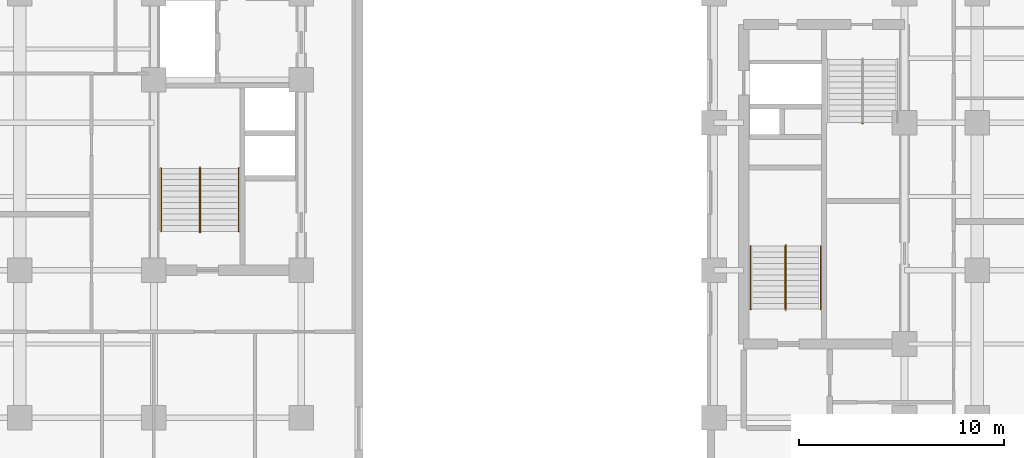
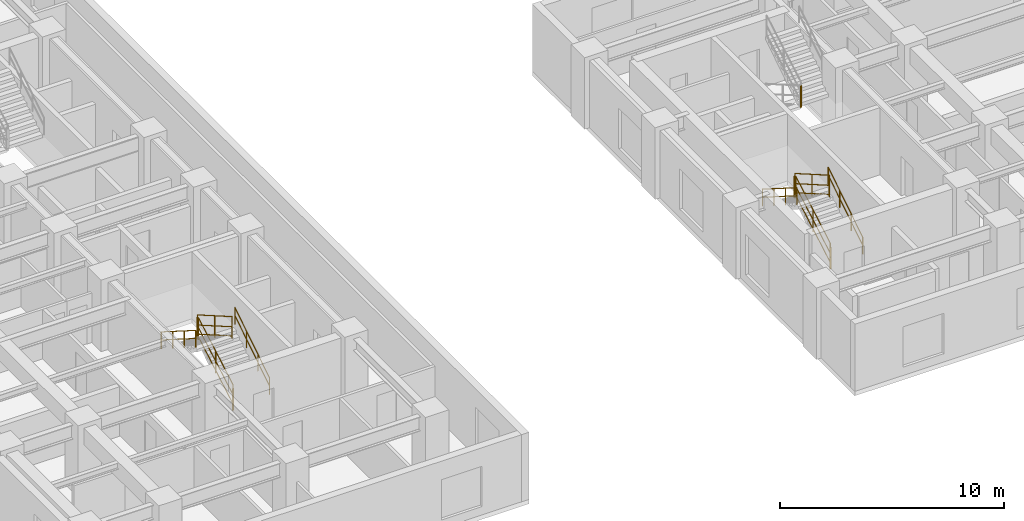
# One storey, part 6 of 8: 13 railings.
"""IFC4 building model written with IfcOpenShell, lengths in metres."""

from ifc_helpers import new_model, entity, si_unit, converted_unit, direction, frame, origin_with_axes, origin_2d_with_axis, place, context, subcontext, project, spatial, rectangle, circle, extrude, material, type_object, element, save


model = new_model("IFC4")

# Units and contexts
model_context = context("Model", 3, precision=1e-05, world=origin_with_axes(), true_north=direction((0.0, 1.0)))
body_context = subcontext(model_context, "Body", "Model", "MODEL_VIEW")
ifc_project = project(units=[si_unit("LENGTHUNIT", "METRE"), si_unit("AREAUNIT", "SQUARE_METRE"), si_unit("VOLUMEUNIT", "CUBIC_METRE"), converted_unit("PLANEANGLEUNIT", "DEGREE", entity("IfcPlaneAngleMeasure", 0.017453292519943295), si_unit("PLANEANGLEUNIT", "RADIAN"), dimensions=[0, 0, 0, 0, 0, 0, 0]), si_unit("MASSUNIT", "GRAM", prefix="KILO"), si_unit("THERMODYNAMICTEMPERATUREUNIT", "KELVIN")], contexts=[model_context])

# Site, building, storey
site_placement = place(None, origin_with_axes())
site = spatial("IfcSite", under=ifc_project, at=site_placement, CompositionType="ELEMENT")
building_placement = place(site_placement, origin_with_axes())
building = spatial("IfcBuilding", under=site, at=building_placement, Name="Varnlund Millrace Tower", CompositionType="ELEMENT")
storey_placement = place(building_placement, frame((0.0, 0.0, 116.4), z_axis=(0.0, 0.0, 1.0), x_axis=(1.0, 0.0, 0.0)))
storey = spatial("IfcBuildingStorey", under=building, at=storey_placement, Name="L28", CompositionType="ELEMENT", Elevation=116.4)

# Railings
ifc_material_1 = material(Name="Painted steel stair well balustrade guard", Category="steel")
railing_type_1 = type_object("IfcRailingType", Name="Type-StairGuard-1150", PredefinedType="GUARDRAIL", material=ifc_material_1)
railing_1_placement = place(storey_placement, frame((0.0, 0.0, -116.4), z_axis=(0.0, 0.0, 1.0), x_axis=(1.0, 0.0, 0.0)))
element("IfcRailing", 1, at=railing_1_placement, inside=storey, type_object=railing_type_1, Name="Type-StairGuard-1150", PredefinedType="GUARDRAIL", context=body_context, shape_type="SweptSolid", body=[
    extrude(circle(Radius=0.024, at=origin_2d_with_axis()), frame((13.675, 12.7, 117.727273), z_axis=(0.0, 0.866696, 0.498836), x_axis=(-1.0, 0.0, 0.0)), (0.0, 0.0, 1.0), 3.553725),
    extrude(circle(Radius=0.024, at=origin_2d_with_axis()), frame((13.675, 12.7, 116.677273), z_axis=(0.0, 0.866696, 0.498836), x_axis=(-1.0, 0.0, 0.0)), (0.0, 0.0, 1.0), 3.553725),
    extrude(circle(Radius=0.024, at=origin_2d_with_axis()), frame((13.675, 12.7, 117.175273), z_axis=(0.0, 0.866696, 0.498836), x_axis=(-1.0, 0.0, 0.0)), (0.0, 0.0, 1.0), 3.553725),
    extrude(rectangle(XDim=0.04, YDim=0.04, at=origin_2d_with_axis()), frame((13.675, 12.7, 116.537273), z_axis=(0.0, 0.0, 1.0), x_axis=(1.0, 0.0, 0.0)), (0.0, 0.0, 1.0), 1.19),
    extrude(rectangle(XDim=0.04, YDim=0.04, at=origin_2d_with_axis()), frame((13.675, 14.24, 117.423636), z_axis=(0.0, 0.0, 1.0), x_axis=(1.0, 0.0, 0.0)), (0.0, 0.0, 1.0), 1.19),
    extrude(rectangle(XDim=0.04, YDim=0.04, at=origin_2d_with_axis()), frame((13.675, 15.78, 118.31), z_axis=(0.0, 0.0, 1.0), x_axis=(1.0, 0.0, 0.0)), (0.0, 0.0, 1.0), 1.19),
])
railing_2_placement = place(storey_placement, frame((0.0, 0.0, -116.4), z_axis=(0.0, 0.0, 1.0), x_axis=(1.0, 0.0, 0.0)))
element("IfcRailing", 2, at=railing_2_placement, inside=storey, type_object=railing_type_1, Name="Type-StairGuard-1150", PredefinedType="GUARDRAIL", context=body_context, shape_type="SweptSolid", body=[
    extrude(circle(Radius=0.024, at=origin_2d_with_axis()), frame((13.625, 15.83, 119.5), z_axis=(1.0, 0.0, 0.0), x_axis=(0.0, 1.0, 0.0)), (0.0, 0.0, 1.0), 0.05),
    extrude(circle(Radius=0.024, at=origin_2d_with_axis()), frame((13.625, 15.83, 118.45), z_axis=(1.0, 0.0, 0.0), x_axis=(0.0, 1.0, 0.0)), (0.0, 0.0, 1.0), 0.05),
    extrude(circle(Radius=0.024, at=origin_2d_with_axis()), frame((13.625, 15.83, 118.948), z_axis=(1.0, 0.0, 0.0), x_axis=(0.0, 1.0, 0.0)), (0.0, 0.0, 1.0), 0.05),
    extrude(rectangle(XDim=0.04, YDim=0.04, at=origin_2d_with_axis()), frame((13.625, 15.83, 118.31), z_axis=(0.0, 0.0, 1.0), x_axis=(1.0, 0.0, 0.0)), (0.0, 0.0, 1.0), 1.19),
    extrude(rectangle(XDim=0.04, YDim=0.04, at=origin_2d_with_axis()), frame((13.675, 15.83, 118.31), z_axis=(0.0, 0.0, 1.0), x_axis=(1.0, 0.0, 0.0)), (0.0, 0.0, 1.0), 1.19),
])
railing_3_placement = place(storey_placement, frame((0.0, 0.0, -116.4), z_axis=(0.0, 0.0, 1.0), x_axis=(1.0, 0.0, 0.0)))
element("IfcRailing", 3, at=railing_3_placement, inside=storey, type_object=railing_type_1, Name="Type-StairGuard-1150", PredefinedType="GUARDRAIL", context=body_context, shape_type="SweptSolid", body=[
    extrude(circle(Radius=0.024, at=origin_2d_with_axis()), frame((13.625, 15.78, 119.677273), z_axis=(0.0, -0.866696, 0.498836), x_axis=(1.0, 0.0, 0.0)), (0.0, 0.0, 1.0), 3.553725),
    extrude(circle(Radius=0.024, at=origin_2d_with_axis()), frame((13.625, 15.78, 118.627273), z_axis=(0.0, -0.866696, 0.498836), x_axis=(1.0, 0.0, 0.0)), (0.0, 0.0, 1.0), 3.553725),
    extrude(circle(Radius=0.024, at=origin_2d_with_axis()), frame((13.625, 15.78, 119.125273), z_axis=(0.0, -0.866696, 0.498836), x_axis=(1.0, 0.0, 0.0)), (0.0, 0.0, 1.0), 3.553725),
    extrude(rectangle(XDim=0.04, YDim=0.04, at=origin_2d_with_axis()), frame((13.625, 15.78, 118.487273), z_axis=(0.0, 0.0, 1.0), x_axis=(1.0, 0.0, 0.0)), (0.0, 0.0, 1.0), 1.19),
    extrude(rectangle(XDim=0.04, YDim=0.04, at=origin_2d_with_axis()), frame((13.625, 14.24, 119.373636), z_axis=(0.0, 0.0, 1.0), x_axis=(1.0, 0.0, 0.0)), (0.0, 0.0, 1.0), 1.19),
    extrude(rectangle(XDim=0.04, YDim=0.04, at=origin_2d_with_axis()), frame((13.625, 12.7, 120.26), z_axis=(0.0, 0.0, 1.0), x_axis=(1.0, 0.0, 0.0)), (0.0, 0.0, 1.0), 1.19),
])
railing_4_placement = place(storey_placement, frame((0.0, 0.0, -116.4), z_axis=(0.0, 0.0, 1.0), x_axis=(1.0, 0.0, 0.0)))
element("IfcRailing", 4, at=railing_4_placement, inside=storey, type_object=railing_type_1, Name="Type-StairGuard-1150", PredefinedType="GUARDRAIL", context=body_context, shape_type="SweptSolid", body=[
    extrude(circle(Radius=0.024, at=origin_2d_with_axis()), frame((13.625, 12.65, 117.55), z_axis=(1.0, 0.0, 0.0), x_axis=(0.0, 1.0, 0.0)), (0.0, 0.0, 1.0), 0.05),
    extrude(circle(Radius=0.024, at=origin_2d_with_axis()), frame((13.625, 12.65, 116.5), z_axis=(1.0, 0.0, 0.0), x_axis=(0.0, 1.0, 0.0)), (0.0, 0.0, 1.0), 0.05),
    extrude(circle(Radius=0.024, at=origin_2d_with_axis()), frame((13.625, 12.65, 116.998), z_axis=(1.0, 0.0, 0.0), x_axis=(0.0, 1.0, 0.0)), (0.0, 0.0, 1.0), 0.05),
    extrude(rectangle(XDim=0.04, YDim=0.04, at=origin_2d_with_axis()), frame((13.625, 12.65, 116.36), z_axis=(0.0, 0.0, 1.0), x_axis=(1.0, 0.0, 0.0)), (0.0, 0.0, 1.0), 1.19),
    extrude(rectangle(XDim=0.04, YDim=0.04, at=origin_2d_with_axis()), frame((13.675, 12.65, 116.36), z_axis=(0.0, 0.0, 1.0), x_axis=(1.0, 0.0, 0.0)), (0.0, 0.0, 1.0), 1.19),
])
railing_5_placement = place(storey_placement, frame((0.0, 0.0, -116.4), z_axis=(0.0, 0.0, 1.0), x_axis=(1.0, 0.0, 0.0)))
element("IfcRailing", 5, at=railing_5_placement, inside=storey, type_object=railing_type_1, Name="Type-StairGuard-1150", PredefinedType="GUARDRAIL", context=body_context, shape_type="SweptSolid", body=[
    extrude(circle(Radius=0.024, at=origin_2d_with_axis()), frame((42.275, 8.9, 117.727273), z_axis=(0.0, 0.866696, 0.498836), x_axis=(-1.0, 0.0, 0.0)), (0.0, 0.0, 1.0), 3.553725),
    extrude(circle(Radius=0.024, at=origin_2d_with_axis()), frame((42.275, 8.9, 116.677273), z_axis=(0.0, 0.866696, 0.498836), x_axis=(-1.0, 0.0, 0.0)), (0.0, 0.0, 1.0), 3.553725),
    extrude(circle(Radius=0.024, at=origin_2d_with_axis()), frame((42.275, 8.9, 117.175273), z_axis=(0.0, 0.866696, 0.498836), x_axis=(-1.0, 0.0, 0.0)), (0.0, 0.0, 1.0), 3.553725),
    extrude(rectangle(XDim=0.04, YDim=0.04, at=origin_2d_with_axis()), frame((42.275, 8.9, 116.537273), z_axis=(0.0, 0.0, 1.0), x_axis=(1.0, 0.0, 0.0)), (0.0, 0.0, 1.0), 1.19),
    extrude(rectangle(XDim=0.04, YDim=0.04, at=origin_2d_with_axis()), frame((42.275, 10.44, 117.423636), z_axis=(0.0, 0.0, 1.0), x_axis=(1.0, 0.0, 0.0)), (0.0, 0.0, 1.0), 1.19),
    extrude(rectangle(XDim=0.04, YDim=0.04, at=origin_2d_with_axis()), frame((42.275, 11.98, 118.31), z_axis=(0.0, 0.0, 1.0), x_axis=(1.0, 0.0, 0.0)), (0.0, 0.0, 1.0), 1.19),
])
railing_6_placement = place(storey_placement, frame((0.0, 0.0, -116.4), z_axis=(0.0, 0.0, 1.0), x_axis=(1.0, 0.0, 0.0)))
element("IfcRailing", 6, at=railing_6_placement, inside=storey, type_object=railing_type_1, Name="Type-StairGuard-1150", PredefinedType="GUARDRAIL", context=body_context, shape_type="SweptSolid", body=[
    extrude(circle(Radius=0.024, at=origin_2d_with_axis()), frame((42.225, 12.03, 119.5), z_axis=(1.0, 0.0, 0.0), x_axis=(0.0, 1.0, 0.0)), (0.0, 0.0, 1.0), 0.05),
    extrude(circle(Radius=0.024, at=origin_2d_with_axis()), frame((42.225, 12.03, 118.45), z_axis=(1.0, 0.0, 0.0), x_axis=(0.0, 1.0, 0.0)), (0.0, 0.0, 1.0), 0.05),
    extrude(circle(Radius=0.024, at=origin_2d_with_axis()), frame((42.225, 12.03, 118.948), z_axis=(1.0, 0.0, 0.0), x_axis=(0.0, 1.0, 0.0)), (0.0, 0.0, 1.0), 0.05),
    extrude(rectangle(XDim=0.04, YDim=0.04, at=origin_2d_with_axis()), frame((42.225, 12.03, 118.31), z_axis=(0.0, 0.0, 1.0), x_axis=(1.0, 0.0, 0.0)), (0.0, 0.0, 1.0), 1.19),
    extrude(rectangle(XDim=0.04, YDim=0.04, at=origin_2d_with_axis()), frame((42.275, 12.03, 118.31), z_axis=(0.0, 0.0, 1.0), x_axis=(1.0, 0.0, 0.0)), (0.0, 0.0, 1.0), 1.19),
])
railing_7_placement = place(storey_placement, frame((0.0, 0.0, -116.4), z_axis=(0.0, 0.0, 1.0), x_axis=(1.0, 0.0, 0.0)))
element("IfcRailing", 7, at=railing_7_placement, inside=storey, type_object=railing_type_1, Name="Type-StairGuard-1150", PredefinedType="GUARDRAIL", context=body_context, shape_type="SweptSolid", body=[
    extrude(circle(Radius=0.024, at=origin_2d_with_axis()), frame((42.225, 11.98, 119.677273), z_axis=(0.0, -0.866696, 0.498836), x_axis=(1.0, 0.0, 0.0)), (0.0, 0.0, 1.0), 3.553725),
    extrude(circle(Radius=0.024, at=origin_2d_with_axis()), frame((42.225, 11.98, 118.627273), z_axis=(0.0, -0.866696, 0.498836), x_axis=(1.0, 0.0, 0.0)), (0.0, 0.0, 1.0), 3.553725),
    extrude(circle(Radius=0.024, at=origin_2d_with_axis()), frame((42.225, 11.98, 119.125273), z_axis=(0.0, -0.866696, 0.498836), x_axis=(1.0, 0.0, 0.0)), (0.0, 0.0, 1.0), 3.553725),
    extrude(rectangle(XDim=0.04, YDim=0.04, at=origin_2d_with_axis()), frame((42.225, 11.98, 118.487273), z_axis=(0.0, 0.0, 1.0), x_axis=(1.0, 0.0, 0.0)), (0.0, 0.0, 1.0), 1.19),
    extrude(rectangle(XDim=0.04, YDim=0.04, at=origin_2d_with_axis()), frame((42.225, 10.44, 119.373636), z_axis=(0.0, 0.0, 1.0), x_axis=(1.0, 0.0, 0.0)), (0.0, 0.0, 1.0), 1.19),
    extrude(rectangle(XDim=0.04, YDim=0.04, at=origin_2d_with_axis()), frame((42.225, 8.9, 120.26), z_axis=(0.0, 0.0, 1.0), x_axis=(1.0, 0.0, 0.0)), (0.0, 0.0, 1.0), 1.19),
])
railing_8_placement = place(storey_placement, frame((0.0, 0.0, -116.4), z_axis=(0.0, 0.0, 1.0), x_axis=(1.0, 0.0, 0.0)))
element("IfcRailing", 8, at=railing_8_placement, inside=storey, type_object=railing_type_1, Name="Type-StairGuard-1150", PredefinedType="GUARDRAIL", context=body_context, shape_type="SweptSolid", body=[
    extrude(circle(Radius=0.024, at=origin_2d_with_axis()), frame((42.225, 8.85, 117.55), z_axis=(1.0, 0.0, 0.0), x_axis=(0.0, 1.0, 0.0)), (0.0, 0.0, 1.0), 0.05),
    extrude(circle(Radius=0.024, at=origin_2d_with_axis()), frame((42.225, 8.85, 116.5), z_axis=(1.0, 0.0, 0.0), x_axis=(0.0, 1.0, 0.0)), (0.0, 0.0, 1.0), 0.05),
    extrude(circle(Radius=0.024, at=origin_2d_with_axis()), frame((42.225, 8.85, 116.998), z_axis=(1.0, 0.0, 0.0), x_axis=(0.0, 1.0, 0.0)), (0.0, 0.0, 1.0), 0.05),
    extrude(rectangle(XDim=0.04, YDim=0.04, at=origin_2d_with_axis()), frame((42.225, 8.85, 116.36), z_axis=(0.0, 0.0, 1.0), x_axis=(1.0, 0.0, 0.0)), (0.0, 0.0, 1.0), 1.19),
    extrude(rectangle(XDim=0.04, YDim=0.04, at=origin_2d_with_axis()), frame((42.275, 8.85, 116.36), z_axis=(0.0, 0.0, 1.0), x_axis=(1.0, 0.0, 0.0)), (0.0, 0.0, 1.0), 1.19),
])
railing_9_placement = place(storey_placement, frame((0.0, 0.0, -116.4), z_axis=(0.0, 0.0, 1.0), x_axis=(1.0, 0.0, 0.0)))
element("IfcRailing", 9, at=railing_9_placement, inside=storey, type_object=railing_type_1, Name="Type-StairGuard-1150", PredefinedType="GUARDRAIL", context=body_context, shape_type="SweptSolid", body=[
    extrude(circle(Radius=0.024, at=origin_2d_with_axis()), frame((46.025, 17.97, 119.5), z_axis=(-1.0, 0.0, 0.0), x_axis=(0.0, -1.0, 0.0)), (0.0, 0.0, 1.0), 0.05),
    extrude(circle(Radius=0.024, at=origin_2d_with_axis()), frame((46.025, 17.97, 118.45), z_axis=(-1.0, 0.0, 0.0), x_axis=(0.0, -1.0, 0.0)), (0.0, 0.0, 1.0), 0.05),
    extrude(circle(Radius=0.024, at=origin_2d_with_axis()), frame((46.025, 17.97, 118.948), z_axis=(-1.0, 0.0, 0.0), x_axis=(0.0, -1.0, 0.0)), (0.0, 0.0, 1.0), 0.05),
    extrude(rectangle(XDim=0.04, YDim=0.04, at=origin_2d_with_axis()), frame((46.025, 17.97, 118.31), z_axis=(0.0, 0.0, 1.0), x_axis=(1.0, 0.0, 0.0)), (0.0, 0.0, 1.0), 1.19),
    extrude(rectangle(XDim=0.04, YDim=0.04, at=origin_2d_with_axis()), frame((45.975, 17.97, 118.31), z_axis=(0.0, 0.0, 1.0), x_axis=(1.0, 0.0, 0.0)), (0.0, 0.0, 1.0), 1.19),
])
ifc_material_2 = material(Name="Brushed architectural bronze stair handrail", Category="aluminium")
railing_type_2 = type_object("IfcRailingType", Name="Type-StairHandrail-900", PredefinedType="HANDRAIL", material=ifc_material_2)
railing_10_placement = place(storey_placement, frame((0.0, 0.0, -116.4), z_axis=(0.0, 0.0, 1.0), x_axis=(1.0, 0.0, 0.0)))
element("IfcRailing", 10, at=railing_10_placement, inside=storey, type_object=railing_type_2, Name="Type-StairHandrail-900", PredefinedType="HANDRAIL", context=body_context, shape_type="SweptSolid", body=[
    extrude(circle(Radius=0.024, at=origin_2d_with_axis()), frame((15.55, 12.7, 117.456995), z_axis=(0.0, 0.844902, 0.534922), x_axis=(-1.0, 0.0, 0.0)), (0.0, 0.0, 1.0), 3.645394),
    extrude(circle(Radius=0.024, at=origin_2d_with_axis()), frame((15.55, 12.7, 117.017134), z_axis=(0.0, 0.844902, 0.534922), x_axis=(-1.0, 0.0, 0.0)), (0.0, 0.0, 1.0), 3.645394),
    extrude(rectangle(XDim=0.04, YDim=0.04, at=origin_2d_with_axis()), frame((15.55, 12.7, 116.537273), z_axis=(0.0, 0.0, 1.0), x_axis=(1.0, 0.0, 0.0)), (0.0, 0.0, 1.0), 0.919722),
    extrude(rectangle(XDim=0.04, YDim=0.04, at=origin_2d_with_axis()), frame((15.55, 13.726667, 117.187273), z_axis=(0.0, 0.0, 1.0), x_axis=(1.0, 0.0, 0.0)), (0.0, 0.0, 1.0), 0.919722),
    extrude(rectangle(XDim=0.04, YDim=0.04, at=origin_2d_with_axis()), frame((15.55, 14.753333, 117.837273), z_axis=(0.0, 0.0, 1.0), x_axis=(1.0, 0.0, 0.0)), (0.0, 0.0, 1.0), 0.919722),
    extrude(rectangle(XDim=0.04, YDim=0.04, at=origin_2d_with_axis()), frame((15.55, 15.78, 118.487273), z_axis=(0.0, 0.0, 1.0), x_axis=(1.0, 0.0, 0.0)), (0.0, 0.0, 1.0), 0.919722),
])
railing_11_placement = place(storey_placement, frame((0.0, 0.0, -116.4), z_axis=(0.0, 0.0, 1.0), x_axis=(1.0, 0.0, 0.0)))
element("IfcRailing", 11, at=railing_11_placement, inside=storey, type_object=railing_type_2, Name="Type-StairHandrail-900", PredefinedType="HANDRAIL", context=body_context, shape_type="SweptSolid", body=[
    extrude(circle(Radius=0.024, at=origin_2d_with_axis()), frame((11.75, 15.78, 119.406995), z_axis=(0.0, -0.844902, 0.534922), x_axis=(1.0, 0.0, 0.0)), (0.0, 0.0, 1.0), 3.645394),
    extrude(circle(Radius=0.024, at=origin_2d_with_axis()), frame((11.75, 15.78, 118.967134), z_axis=(0.0, -0.844902, 0.534922), x_axis=(1.0, 0.0, 0.0)), (0.0, 0.0, 1.0), 3.645394),
    extrude(rectangle(XDim=0.04, YDim=0.04, at=origin_2d_with_axis()), frame((11.75, 15.78, 118.487273), z_axis=(0.0, 0.0, 1.0), x_axis=(1.0, 0.0, 0.0)), (0.0, 0.0, 1.0), 0.919722),
    extrude(rectangle(XDim=0.04, YDim=0.04, at=origin_2d_with_axis()), frame((11.75, 14.753333, 119.137273), z_axis=(0.0, 0.0, 1.0), x_axis=(1.0, 0.0, 0.0)), (0.0, 0.0, 1.0), 0.919722),
    extrude(rectangle(XDim=0.04, YDim=0.04, at=origin_2d_with_axis()), frame((11.75, 13.726667, 119.787273), z_axis=(0.0, 0.0, 1.0), x_axis=(1.0, 0.0, 0.0)), (0.0, 0.0, 1.0), 0.919722),
    extrude(rectangle(XDim=0.04, YDim=0.04, at=origin_2d_with_axis()), frame((11.75, 12.7, 120.437273), z_axis=(0.0, 0.0, 1.0), x_axis=(1.0, 0.0, 0.0)), (0.0, 0.0, 1.0), 0.919722),
])
railing_12_placement = place(storey_placement, frame((0.0, 0.0, -116.4), z_axis=(0.0, 0.0, 1.0), x_axis=(1.0, 0.0, 0.0)))
element("IfcRailing", 12, at=railing_12_placement, inside=storey, type_object=railing_type_2, Name="Type-StairHandrail-900", PredefinedType="HANDRAIL", context=body_context, shape_type="SweptSolid", body=[
    extrude(circle(Radius=0.024, at=origin_2d_with_axis()), frame((43.95, 8.9, 117.456995), z_axis=(0.0, 0.844902, 0.534922), x_axis=(-1.0, 0.0, 0.0)), (0.0, 0.0, 1.0), 3.645394),
    extrude(circle(Radius=0.024, at=origin_2d_with_axis()), frame((43.95, 8.9, 117.017134), z_axis=(0.0, 0.844902, 0.534922), x_axis=(-1.0, 0.0, 0.0)), (0.0, 0.0, 1.0), 3.645394),
    extrude(rectangle(XDim=0.04, YDim=0.04, at=origin_2d_with_axis()), frame((43.95, 8.9, 116.537273), z_axis=(0.0, 0.0, 1.0), x_axis=(1.0, 0.0, 0.0)), (0.0, 0.0, 1.0), 0.919722),
    extrude(rectangle(XDim=0.04, YDim=0.04, at=origin_2d_with_axis()), frame((43.95, 9.926667, 117.187273), z_axis=(0.0, 0.0, 1.0), x_axis=(1.0, 0.0, 0.0)), (0.0, 0.0, 1.0), 0.919722),
    extrude(rectangle(XDim=0.04, YDim=0.04, at=origin_2d_with_axis()), frame((43.95, 10.953333, 117.837273), z_axis=(0.0, 0.0, 1.0), x_axis=(1.0, 0.0, 0.0)), (0.0, 0.0, 1.0), 0.919722),
    extrude(rectangle(XDim=0.04, YDim=0.04, at=origin_2d_with_axis()), frame((43.95, 11.98, 118.487273), z_axis=(0.0, 0.0, 1.0), x_axis=(1.0, 0.0, 0.0)), (0.0, 0.0, 1.0), 0.919722),
])
railing_13_placement = place(storey_placement, frame((0.0, 0.0, -116.4), z_axis=(0.0, 0.0, 1.0), x_axis=(1.0, 0.0, 0.0)))
element("IfcRailing", 13, at=railing_13_placement, inside=storey, type_object=railing_type_2, Name="Type-StairHandrail-900", PredefinedType="HANDRAIL", context=body_context, shape_type="SweptSolid", body=[
    extrude(circle(Radius=0.024, at=origin_2d_with_axis()), frame((40.55, 11.98, 119.406995), z_axis=(0.0, -0.844902, 0.534922), x_axis=(1.0, 0.0, 0.0)), (0.0, 0.0, 1.0), 3.645394),
    extrude(circle(Radius=0.024, at=origin_2d_with_axis()), frame((40.55, 11.98, 118.967134), z_axis=(0.0, -0.844902, 0.534922), x_axis=(1.0, 0.0, 0.0)), (0.0, 0.0, 1.0), 3.645394),
    extrude(rectangle(XDim=0.04, YDim=0.04, at=origin_2d_with_axis()), frame((40.55, 11.98, 118.487273), z_axis=(0.0, 0.0, 1.0), x_axis=(1.0, 0.0, 0.0)), (0.0, 0.0, 1.0), 0.919722),
    extrude(rectangle(XDim=0.04, YDim=0.04, at=origin_2d_with_axis()), frame((40.55, 10.953333, 119.137273), z_axis=(0.0, 0.0, 1.0), x_axis=(1.0, 0.0, 0.0)), (0.0, 0.0, 1.0), 0.919722),
    extrude(rectangle(XDim=0.04, YDim=0.04, at=origin_2d_with_axis()), frame((40.55, 9.926667, 119.787273), z_axis=(0.0, 0.0, 1.0), x_axis=(1.0, 0.0, 0.0)), (0.0, 0.0, 1.0), 0.919722),
    extrude(rectangle(XDim=0.04, YDim=0.04, at=origin_2d_with_axis()), frame((40.55, 8.9, 120.437273), z_axis=(0.0, 0.0, 1.0), x_axis=(1.0, 0.0, 0.0)), (0.0, 0.0, 1.0), 0.919722),
])

save(model, "model.ifc")
